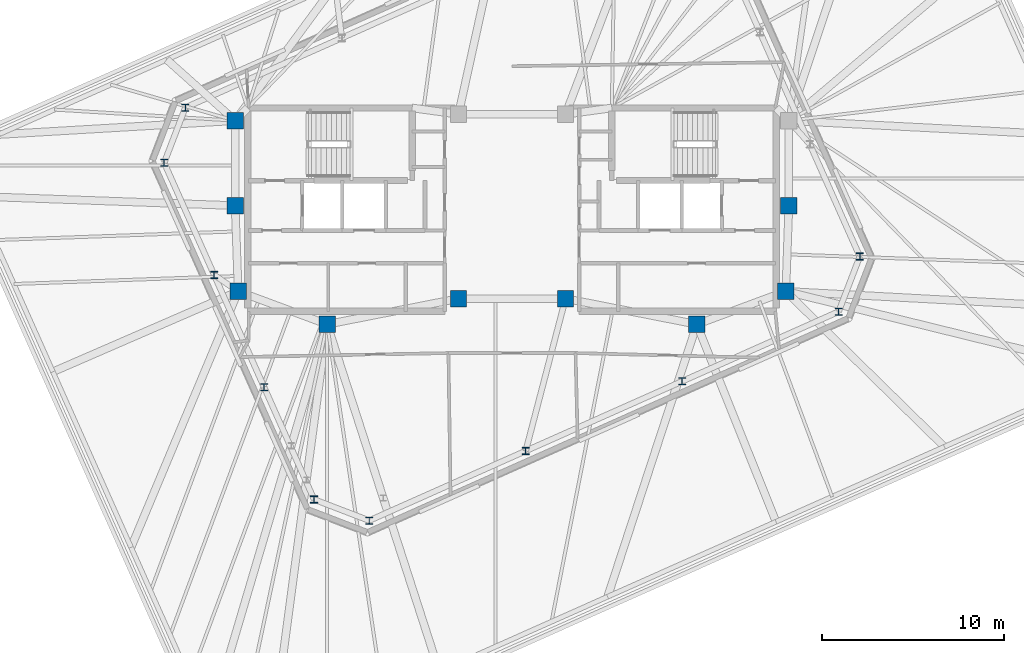
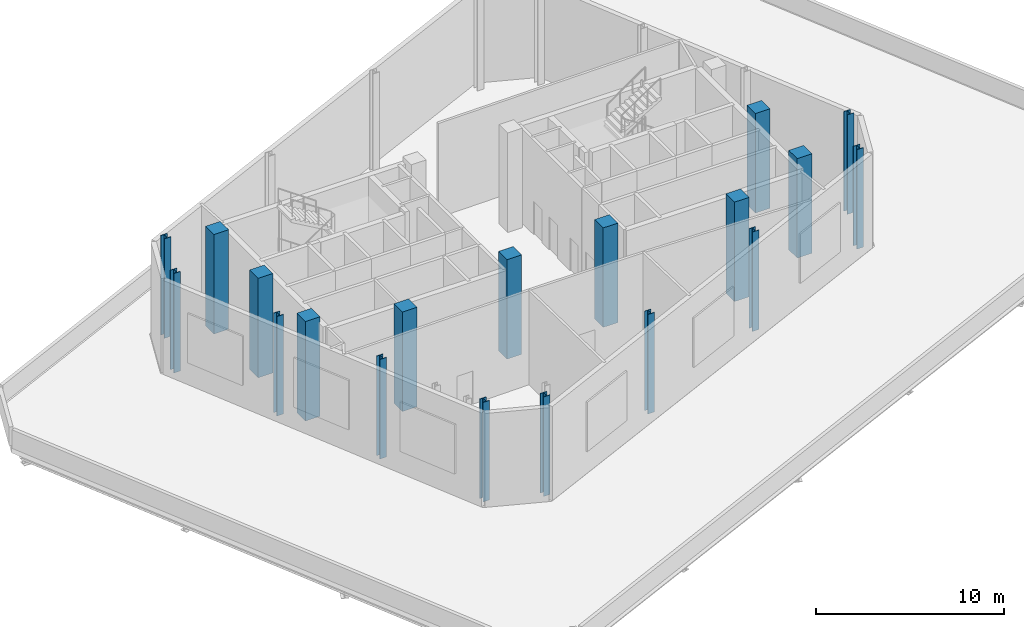
# One storey, part 1 of 10: 19 columns.
"""IFC4 building model written with IfcOpenShell, lengths in metres."""

from ifc_helpers import new_model, si_unit, direction, frame, origin, origin_2d, place, context, subcontext, project, spatial, rectangle, i_section, extrude, material, material_profile, profile_set, type_object, element, save


model = new_model("IFC4")

# Units and contexts
model_context = context("Model", 3, precision=1e-05, world=origin(), true_north=direction((0.0, 1.0)))
body_context = subcontext(model_context, "Body", "Model", "MODEL_VIEW")
ifc_project = project(units=[si_unit("LENGTHUNIT", "METRE"), si_unit("AREAUNIT", "SQUARE_METRE"), si_unit("VOLUMEUNIT", "CUBIC_METRE"), si_unit("PLANEANGLEUNIT", "RADIAN"), si_unit("MASSUNIT", "GRAM", prefix="KILO")], contexts=[model_context])

# Site, building, storey
site_placement = place(None, origin())
site = spatial("IfcSite", under=ifc_project, at=site_placement, CompositionType="ELEMENT")
building_placement = place(site_placement, origin())
building = spatial("IfcBuilding", under=site, at=building_placement, Name="Menara Jurai Vektor", CompositionType="ELEMENT")
storey_placement = place(building_placement, frame((0.0, 0.0, 305.550048828125)))
storey = spatial("IfcBuildingStorey", under=building, at=storey_placement, Name="L82", CompositionType="ELEMENT", Elevation=305.550048828125)

# Columns
ifc_material_1 = material(Name="Steel S460", Category="steel")
ifc_material_profile_1 = material_profile(ifc_material_1, i_section(OverallWidth=0.39892578125, OverallDepth=0.39404296875, WebThickness=0.02294921875, FlangeThickness=0.037109375, FilletRadius=0.014892578125, at=origin_2d()), Name="UKC 356x406x287")
ifc_profile_set_1 = profile_set([ifc_material_profile_1], Name="Steel S460")
column_type_1 = type_object("IfcColumnType", Name="STR-COL-DRUM", PredefinedType="COLUMN", material=ifc_profile_set_1)
for number, where, z_axis, x_axis, name in (
    (1, (-7.86279296875, -17.12890625, 0.0), (0.0, 0.0, 1.0), (1.0, 0.0, 0.0), "Crown Plant Drum Column DC-01"),
    (2, (0.7548828125, -13.2919921875, 0.0), (0.0, 0.0, 1.0), (1.0, 0.0, 0.0), "Crown Plant Drum Column DC-02"),
    (3, (9.372802734375, -9.455078125, 0.0), (0.0, 0.0, 1.0), (1.0, 0.0, 0.0), "Crown Plant Drum Column DC-03"),
    (4, (17.990478515625, -5.618408203125, 0.0), (0.0, 0.0, 1.0), (1.0, 0.0, 0.0), "Crown Plant Drum Column DC-04"),
    (5, (19.15625, -2.581787109375, 0.0), (0.0, 0.0, 1.0), (1.0, 0.0, 0.0), "Crown Plant Drum Column DC-05"),
    (6, (-17.990478515625, 5.618408203125, 0.0), (0.0, 0.0, 1.0), (1.0, 0.0, 0.0), "Crown Plant Drum Column DC-12"),
    (7, (-19.15625, 2.581787109375, 0.0), (0.0, 0.0, 1.0), (1.0, 0.0, 0.0), "Crown Plant Drum Column DC-13"),
    (8, (-16.40380859375, -3.60009765625, 0.0), (0.0, 0.0, 1.0), (1.0, 0.0, 0.0), "Crown Plant Drum Column DC-14"),
    (9, (-13.651611328125, -9.781494140625, 0.0), (0.0, 0.0, 1.0), (1.0, 0.0, 0.0), "Crown Plant Drum Column DC-15"),
    (10, (-10.8994140625, -15.96337890625, 0.0), (0.0, 0.0, 1.0), (1.0, 0.0, 0.0), "Crown Plant Drum Column DC-16"),
):
    element("IfcColumn", number, at=place(storey_placement, frame(where, z_axis=z_axis, x_axis=x_axis)), inside=storey, type_object=column_type_1, Name=name, PredefinedType="COLUMN", context=body_context, shape_type="SweptSolid", body=[
        extrude(i_section(OverallWidth=0.39892578125, OverallDepth=0.39404296875, WebThickness=0.02294921875, FlangeThickness=0.037109375, FilletRadius=0.014892578125, at=origin_2d()), origin(), (0.0, 0.0, 1.0), 6.449951171875),
    ])
ifc_material_2 = material(Name="Concrete C50/60", Category="concrete")
ifc_material_profile_2 = material_profile(ifc_material_2, rectangle(XDim=0.89990234375, YDim=0.89990234375, at=origin_2d()), Name="RC 900x900")
ifc_profile_set_2 = profile_set([ifc_material_profile_2], Name="Concrete C50/60")
column_type_2 = type_object("IfcColumnType", Name="STR-COL-RC900", PredefinedType="COLUMN", material=ifc_profile_set_2)
for number, where, z_axis, x_axis, name in (
    (11, (-15.25, 4.89990234375, 0.0), (0.0, 0.0, 1.0), (1.0, 0.0, 0.0), "Core Spine Column CW-NW L82"),
    (12, (-15.25, 0.219970703125, 0.0), (0.0, 0.0, 1.0), (1.0, 0.0, 0.0), "Core Spine Column CW-WM L82"),
    (13, (-15.080078125, -4.5, 0.0), (0.0, 0.0, 1.0), (1.0, 0.0, 0.0), "Core Spine Column CW-SW L82"),
    (14, (-10.179931640625, -6.320068359375, 0.0), (0.0, 0.0, 1.0), (1.0, 0.0, 0.0), "Core Spine Column CW-SM L82"),
    (15, (-2.949951171875, -4.89990234375, 0.0), (0.0, 0.0, 1.0), (1.0, 0.0, 0.0), "Core Spine Column CW-SE L82"),
    (16, (15.25, 0.219970703125, 0.0), (0.0, 0.0, 1.0), (1.0, 0.0, 0.0), "Core Spine Column CE-EM L82"),
    (17, (15.080078125, -4.5, 0.0), (0.0, 0.0, 1.0), (1.0, 0.0, 0.0), "Core Spine Column CE-SE L82"),
    (18, (10.179931640625, -6.320068359375, 0.0), (0.0, 0.0, 1.0), (1.0, 0.0, 0.0), "Core Spine Column CE-SM L82"),
    (19, (2.949951171875, -4.89990234375, 0.0), (0.0, 0.0, 1.0), (1.0, 0.0, 0.0), "Core Spine Column CE-SW L82"),
):
    element("IfcColumn", number, at=place(storey_placement, frame(where, z_axis=z_axis, x_axis=x_axis)), inside=storey, type_object=column_type_2, Name=name, PredefinedType="COLUMN", context=body_context, shape_type="SweptSolid", body=[
        extrude(rectangle(XDim=0.89990234375, YDim=0.89990234375, at=origin_2d()), origin(), (0.0, 0.0, 1.0), 6.449951171875),
    ])

save(model, "model.ifc")
